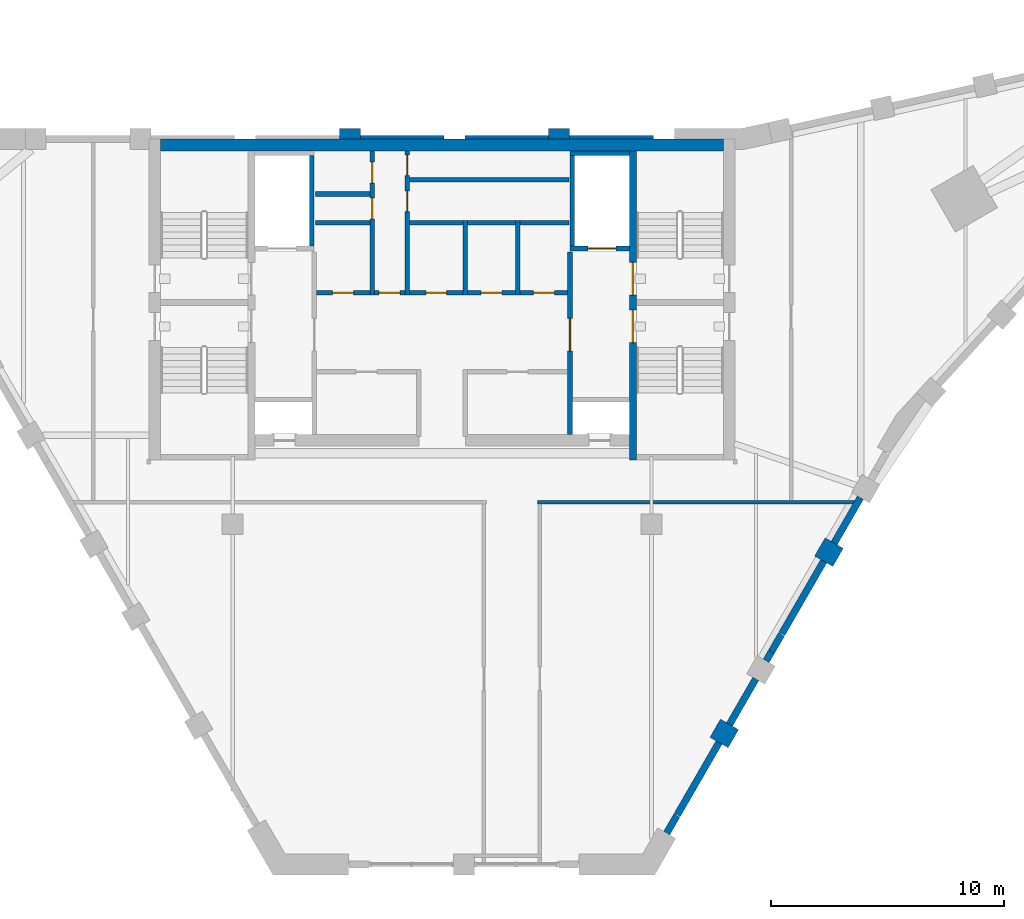
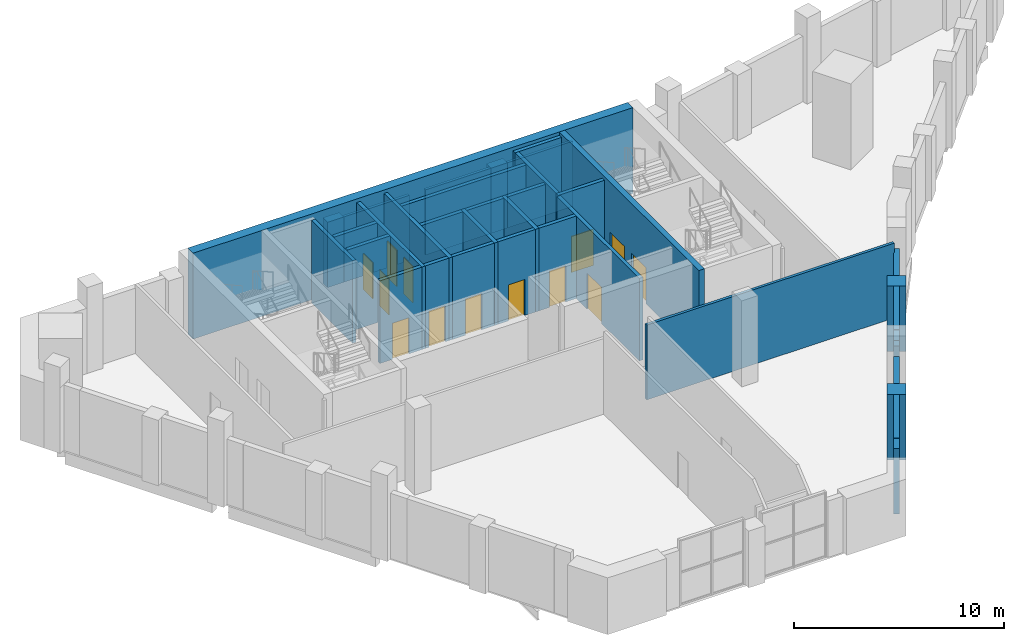
# One storey, part 5 of 9: 37 walls, 13 doors, 13 openings.
"""IFC4 building model written with IfcOpenShell, lengths in metres."""

from ifc_helpers import new_model, si_unit, direction, frame, frame_2d, origin, place, context, subcontext, project, spatial, polyline, rectangle, outline, extrude, material, layer, layer_set, type_object, element, fill, save


model = new_model("IFC4")

# Units and contexts
model_context = context("Model", 3, precision=1e-05, world=origin(), true_north=direction((0.0, 1.0)))
body_context = subcontext(model_context, "Body", "Model", "MODEL_VIEW")
ifc_project = project(units=[si_unit("LENGTHUNIT", "METRE"), si_unit("AREAUNIT", "SQUARE_METRE"), si_unit("VOLUMEUNIT", "CUBIC_METRE"), si_unit("PLANEANGLEUNIT", "RADIAN"), si_unit("MASSUNIT", "GRAM", prefix="KILO")], contexts=[model_context])

# Site, building, storey
site_placement = place(None, origin())
site = spatial("IfcSite", under=ifc_project, at=site_placement, CompositionType="ELEMENT")
building_placement = place(site_placement, origin())
building = spatial("IfcBuilding", under=site, at=building_placement, Name="Calabash Gate Tower", CompositionType="ELEMENT")
storey_placement = place(building_placement, frame((0.0, 0.0, 320.5)))
storey = spatial("IfcBuildingStorey", under=building, at=storey_placement, Name="L75", CompositionType="ELEMENT", Elevation=320.5)

# Walls
ifc_material_1 = material(Name="Terracotta brick masonry, exposed face", Category="masonry")
ifc_layer_1 = layer(ifc_material_1, 0.89990234375)
ifc_layer_set_1 = layer_set([ifc_layer_1], Name="Brick end wall 900")
wall_type_1 = type_object("IfcWallType", Name="Brick end wall 900", PredefinedType="SOLIDWALL", material=ifc_layer_set_1)
for number, where, z_axis, x_axis, name in (
    (1, (11.9072265625, -6.8837890625, 0.0), (0.0, 0.0, 1.0), (0.499902469156, 0.866081705922, 0.0), "Brick pier L75 crown2.1"),
    (2, (16.4072265625, 0.910400390625, 0.0), (0.0, 0.0, 1.0), (0.499902469156, 0.866081705922, 0.0), "Brick pier L75 crown2.3"),
):
    element("IfcWall", number, at=place(storey_placement, frame(where, z_axis=z_axis, x_axis=x_axis)), inside=storey, type_object=wall_type_1, Name=name, PredefinedType="SOLIDWALL", context=body_context, shape_type="SweptSolid", body=[
        extrude(rectangle(XDim=0.900146484375, YDim=0.89990234375, at=frame_2d((0.4501953125, 0.0))), origin(), (0.0, 0.0, 1.0), 3.800048828125),
    ])
wall_1_placement = place(storey_placement, origin())
element("IfcWall", 3, at=wall_1_placement, inside=storey, type_object=wall_type_1, Name="Brick pier L75 crown6.1", PredefinedType="SOLIDWALL", context=body_context, shape_type="SweptSolid", body=[
    extrude(outline(polyline([(4.584228515625, 19.50244140625), (4.584228515625, 19.052490234375), (5.484375, 19.052490234375), (5.484375, 19.50244140625), (4.584228515625, 19.50244140625)])), origin(), (0.0, 0.0, 1.0), 3.800048828125),
])
wall_2_placement = place(storey_placement, origin())
element("IfcWall", 4, at=wall_2_placement, inside=storey, type_object=wall_type_1, Name="Brick pier L75 crown6.3", PredefinedType="SOLIDWALL", context=body_context, shape_type="SweptSolid", body=[
    extrude(outline(polyline([(-4.415771484375, 19.50244140625), (-4.415771484375, 19.052490234375), (-3.515625, 19.052490234375), (-3.515625, 19.50244140625), (-4.415771484375, 19.50244140625)])), origin(), (0.0, 0.0, 1.0), 3.800048828125),
])

# Wall, opening, door
ifc_material_2 = material(Name="Gypsum board on steel studs, mineral wool", Category="steel")
ifc_layer_2 = layer(ifc_material_2, 0.199951171875)
ifc_layer_set_2 = layer_set([ifc_layer_2], Name="Core partition 200 gypsum board")
wall_type_2 = type_object("IfcWallType", Name="Core partition 200 gypsum board", PredefinedType="PARTITIONING", material=ifc_layer_set_2)
wall_3_placement = place(storey_placement, frame((-5.39990234375, 12.45263671875, 0.0), z_axis=(0.0, 0.0, 1.0), x_axis=(1.0, 0.0, 0.0)))
wall_3 = element("IfcWall", 5, at=wall_3_placement, inside=storey, type_object=wall_type_2, Name="Core partition", PredefinedType="PARTITIONING", context=body_context, shape_type="SweptSolid", body=[
    extrude(rectangle(XDim=2.2998046875, YDim=0.199951171875, at=frame_2d((1.14990234375, 0.0))), origin(), (0.0, 0.0, 1.0), 4.800048828125),
])
opening_1_placement = place(wall_3_placement, frame((0.699951171875, 0.0, 0.0)))
opening_1 = element("IfcOpeningElement", 6, at=opening_1_placement, cuts=wall_3, Name="Opening L75-020", PredefinedType="OPENING", context=body_context, shape_type="SweptSolid", body=[
    extrude(rectangle(XDim=0.89990234375, YDim=2.10009765625, at=frame_2d((0.449951171875, 1.050048828125))), frame((0.0, 0.10986328125, 0.0), z_axis=(0.0, -1.0, 0.0), x_axis=(1.0, 0.0, 0.0)), (0.0, 0.0, 1.0), 0.219970703125),
])
ifc_material_3 = material(Name="Steel fire door set with fire-resisting glazing", Category="steel")
door_type_1 = type_object("IfcDoorType", Name="Fire door D06 900x2100 FD60", OperationType="NOTDEFINED", PredefinedType="DOOR", material=ifc_material_3)
door_1_placement = place(opening_1_placement, origin())
door_1 = element("IfcDoor", 7, at=door_1_placement, inside=storey, type_object=door_type_1, Name="Electrical Switch Room door", OperationType="SINGLE_SWING_RIGHT", OverallHeight=2.10009765625, OverallWidth=0.89990234375, PredefinedType="DOOR", context=body_context, shape_type="SweptSolid", body=[
    extrude(rectangle(XDim=0.89990234375, YDim=2.10009765625, at=frame_2d((0.449951171875, 1.050048828125))), frame((0.0, 0.02490234375, 0.0), z_axis=(0.0, -1.0, 0.0), x_axis=(1.0, 0.0, 0.0)), (0.0, 0.0, 1.0), 0.050048828125),
])
fill(opening_1, door_1)

# Wall, openings, doors
wall_4_placement = place(storey_placement, frame((-3.0, 12.3525390625, 0.0), z_axis=(0.0, 0.0, 1.0), x_axis=(0.0, 1.0, 0.0)))
wall_4 = element("IfcWall", 8, at=wall_4_placement, inside=storey, type_object=wall_type_2, Name="Core partition", PredefinedType="PARTITIONING", context=body_context, shape_type="SweptSolid", body=[
    extrude(rectangle(XDim=6.199951171875, YDim=0.199951171875, at=frame_2d((3.10009765625, 0.0))), origin(), (0.0, 0.0, 1.0), 4.800048828125),
])
opening_2_placement = place(wall_4_placement, frame((3.27001953125, 0.0, 0.0)))
opening_2 = element("IfcOpeningElement", 9, at=opening_2_placement, cuts=wall_4, Name="Opening L75-012", PredefinedType="OPENING", context=body_context, shape_type="SweptSolid", body=[
    extrude(rectangle(XDim=0.89990234375, YDim=2.10009765625, at=frame_2d((0.449951171875, 1.050048828125))), frame((0.0, 0.10986328125, 0.0), z_axis=(0.0, -1.0, 0.0), x_axis=(1.0, 0.0, 0.0)), (0.0, 0.0, 1.0), 0.219970703125),
])
opening_3_placement = place(wall_4_placement, frame((4.820068359375, 0.0, 0.0)))
opening_3 = element("IfcOpeningElement", 10, at=opening_3_placement, cuts=wall_4, Name="Opening L75-013", PredefinedType="OPENING", context=body_context, shape_type="SweptSolid", body=[
    extrude(rectangle(XDim=0.89990234375, YDim=2.10009765625, at=frame_2d((0.449951171875, 1.050048828125))), frame((0.0, 0.10986328125, 0.0), z_axis=(0.0, -1.0, 0.0), x_axis=(1.0, 0.0, 0.0)), (0.0, 0.0, 1.0), 0.219970703125),
])
door_2_placement = place(opening_2_placement, origin())
door_2 = element("IfcDoor", 11, at=door_2_placement, inside=storey, type_object=door_type_1, Name="Electrical Switch Room door", OperationType="SINGLE_SWING_LEFT", OverallHeight=2.10009765625, OverallWidth=0.89990234375, PredefinedType="DOOR", context=body_context, shape_type="SweptSolid", body=[
    extrude(rectangle(XDim=0.89990234375, YDim=2.10009765625, at=frame_2d((0.449951171875, 1.050048828125))), frame((0.0, 0.02490234375, 0.0), z_axis=(0.0, -1.0, 0.0), x_axis=(1.0, 0.0, 0.0)), (0.0, 0.0, 1.0), 0.050048828125),
])
fill(opening_2, door_2)
door_3_placement = place(opening_3_placement, origin())
door_3 = element("IfcDoor", 12, at=door_3_placement, inside=storey, type_object=door_type_1, Name="HV Transformer Room door", OperationType="SINGLE_SWING_LEFT", OverallHeight=2.10009765625, OverallWidth=0.89990234375, PredefinedType="DOOR", context=body_context, shape_type="SweptSolid", body=[
    extrude(rectangle(XDim=0.89990234375, YDim=2.10009765625, at=frame_2d((0.449951171875, 1.050048828125))), frame((0.0, 0.02490234375, 0.0), z_axis=(0.0, -1.0, 0.0), x_axis=(1.0, 0.0, 0.0)), (0.0, 0.0, 1.0), 0.050048828125),
])
fill(opening_3, door_3)

# Wall, opening, door
wall_5_placement = place(storey_placement, frame((-2.89990234375, 12.45263671875, 0.0), z_axis=(0.0, 0.0, 1.0), x_axis=(1.0, 0.0, 0.0)))
wall_5 = element("IfcWall", 13, at=wall_5_placement, inside=storey, type_object=wall_type_2, Name="Core partition", PredefinedType="PARTITIONING", context=body_context, shape_type="SweptSolid", body=[
    extrude(rectangle(XDim=1.2998046875, YDim=0.199951171875, at=frame_2d((0.64990234375, 0.0))), origin(), (0.0, 0.0, 1.0), 4.800048828125),
])
opening_4_placement = place(wall_5_placement, frame((0.199951171875, 0.0, 0.0)))
opening_4 = element("IfcOpeningElement", 14, at=opening_4_placement, cuts=wall_5, Name="Opening L75-009", PredefinedType="OPENING", context=body_context, shape_type="SweptSolid", body=[
    extrude(rectangle(XDim=0.89990234375, YDim=2.10009765625, at=frame_2d((0.449951171875, 1.050048828125))), frame((0.0, 0.10986328125, 0.0), z_axis=(0.0, -1.0, 0.0), x_axis=(1.0, 0.0, 0.0)), (0.0, 0.0, 1.0), 0.219970703125),
])
door_4_placement = place(opening_4_placement, origin())
door_4 = element("IfcDoor", 15, at=door_4_placement, inside=storey, type_object=door_type_1, Name="Service Corridor door", OperationType="SINGLE_SWING_RIGHT", OverallHeight=2.10009765625, OverallWidth=0.89990234375, PredefinedType="DOOR", context=body_context, shape_type="SweptSolid", body=[
    extrude(rectangle(XDim=0.89990234375, YDim=2.10009765625, at=frame_2d((0.449951171875, 1.050048828125))), frame((0.0, 0.02490234375, 0.0), z_axis=(0.0, -1.0, 0.0), x_axis=(1.0, 0.0, 0.0)), (0.0, 0.0, 1.0), 0.050048828125),
])
fill(opening_4, door_4)

# Wall, openings, doors
wall_6_placement = place(storey_placement, frame((-1.5, 12.3525390625, 0.0), z_axis=(0.0, 0.0, 1.0), x_axis=(0.0, 1.0, 0.0)))
wall_6 = element("IfcWall", 16, at=wall_6_placement, inside=storey, type_object=wall_type_2, Name="Core partition", PredefinedType="PARTITIONING", context=body_context, shape_type="SweptSolid", body=[
    extrude(rectangle(XDim=6.199951171875, YDim=0.199951171875, at=frame_2d((3.10009765625, 0.0))), origin(), (0.0, 0.0, 1.0), 4.800048828125),
])
opening_5_placement = place(wall_6_placement, frame((3.580078125, 0.0, 0.0)))
opening_5 = element("IfcOpeningElement", 17, at=opening_5_placement, cuts=wall_6, Name="Opening L75-014", PredefinedType="OPENING", context=body_context, shape_type="SweptSolid", body=[
    extrude(rectangle(XDim=0.89990234375, YDim=2.10009765625, at=frame_2d((0.449951171875, 1.050048828125))), frame((0.0, 0.10986328125, 0.0), z_axis=(0.0, -1.0, 0.0), x_axis=(1.0, 0.0, 0.0)), (0.0, 0.0, 1.0), 0.219970703125),
])
opening_6_placement = place(wall_6_placement, frame((5.130126953125, 0.0, 0.0)))
opening_6 = element("IfcOpeningElement", 18, at=opening_6_placement, cuts=wall_6, Name="Opening L75-015", PredefinedType="OPENING", context=body_context, shape_type="SweptSolid", body=[
    extrude(rectangle(XDim=0.89990234375, YDim=2.10009765625, at=frame_2d((0.449951171875, 1.050048828125))), frame((0.0, 0.10986328125, 0.0), z_axis=(0.0, -1.0, 0.0), x_axis=(1.0, 0.0, 0.0)), (0.0, 0.0, 1.0), 0.219970703125),
])
door_5_placement = place(opening_5_placement, origin())
door_5 = element("IfcDoor", 19, at=door_5_placement, inside=storey, type_object=door_type_1, Name="Chilled Water Plant door", OperationType="SINGLE_SWING_LEFT", OverallHeight=2.10009765625, OverallWidth=0.89990234375, PredefinedType="DOOR", context=body_context, shape_type="SweptSolid", body=[
    extrude(rectangle(XDim=0.89990234375, YDim=2.10009765625, at=frame_2d((0.449951171875, 1.050048828125))), frame((0.0, 0.02490234375, 0.0), z_axis=(0.0, -1.0, 0.0), x_axis=(1.0, 0.0, 0.0)), (0.0, 0.0, 1.0), 0.050048828125),
])
fill(opening_5, door_5)
door_6_placement = place(opening_6_placement, origin())
door_6 = element("IfcDoor", 20, at=door_6_placement, inside=storey, type_object=door_type_1, Name="Mechanical Pump Room door", OperationType="SINGLE_SWING_LEFT", OverallHeight=2.10009765625, OverallWidth=0.89990234375, PredefinedType="DOOR", context=body_context, shape_type="SweptSolid", body=[
    extrude(rectangle(XDim=0.89990234375, YDim=2.10009765625, at=frame_2d((0.449951171875, 1.050048828125))), frame((0.0, 0.02490234375, 0.0), z_axis=(0.0, -1.0, 0.0), x_axis=(1.0, 0.0, 0.0)), (0.0, 0.0, 1.0), 0.050048828125),
])
fill(opening_6, door_6)

# Wall, opening, door
wall_7_placement = place(storey_placement, frame((-1.39990234375, 12.45263671875, 0.0), z_axis=(0.0, 0.0, 1.0), x_axis=(1.0, 0.0, 0.0)))
wall_7 = element("IfcWall", 21, at=wall_7_placement, inside=storey, type_object=wall_type_2, Name="Core partition", PredefinedType="PARTITIONING", context=body_context, shape_type="SweptSolid", body=[
    extrude(rectangle(XDim=2.2998046875, YDim=0.199951171875, at=frame_2d((1.14990234375, 0.0))), origin(), (0.0, 0.0, 1.0), 4.800048828125),
])
opening_7_placement = place(wall_7_placement, frame((0.699951171875, 0.0, 0.0)))
opening_7 = element("IfcOpeningElement", 22, at=opening_7_placement, cuts=wall_7, Name="Opening L75-021", PredefinedType="OPENING", context=body_context, shape_type="SweptSolid", body=[
    extrude(rectangle(XDim=0.89990234375, YDim=2.10009765625, at=frame_2d((0.449951171875, 1.050048828125))), frame((0.0, 0.10986328125, 0.0), z_axis=(0.0, -1.0, 0.0), x_axis=(1.0, 0.0, 0.0)), (0.0, 0.0, 1.0), 0.219970703125),
])
door_7_placement = place(opening_7_placement, origin())
door_7 = element("IfcDoor", 23, at=door_7_placement, inside=storey, type_object=door_type_1, Name="HV Transformer Room door", OperationType="SINGLE_SWING_RIGHT", OverallHeight=2.10009765625, OverallWidth=0.89990234375, PredefinedType="DOOR", context=body_context, shape_type="SweptSolid", body=[
    extrude(rectangle(XDim=0.89990234375, YDim=2.10009765625, at=frame_2d((0.449951171875, 1.050048828125))), frame((0.0, 0.02490234375, 0.0), z_axis=(0.0, -1.0, 0.0), x_axis=(1.0, 0.0, 0.0)), (0.0, 0.0, 1.0), 0.050048828125),
])
fill(opening_7, door_7)

# Wall
wall_8_placement = place(storey_placement, frame((1.0, 12.3525390625, 0.0), z_axis=(0.0, 0.0, 1.0), x_axis=(0.0, 1.0, 0.0)))
element("IfcWall", 24, at=wall_8_placement, inside=storey, type_object=wall_type_2, Name="Core partition", PredefinedType="PARTITIONING", context=body_context, shape_type="SweptSolid", body=[
    extrude(rectangle(XDim=3.199951171875, YDim=0.199951171875, at=frame_2d((1.60009765625, 0.0))), origin(), (0.0, 0.0, 1.0), 4.800048828125),
])

# Wall, opening, door
wall_9_placement = place(storey_placement, frame((1.10009765625, 12.45263671875, 0.0), z_axis=(0.0, 0.0, 1.0), x_axis=(1.0, 0.0, 0.0)))
wall_9 = element("IfcWall", 25, at=wall_9_placement, inside=storey, type_object=wall_type_2, Name="Core partition", PredefinedType="PARTITIONING", context=body_context, shape_type="SweptSolid", body=[
    extrude(rectangle(XDim=2.0498046875, YDim=0.199951171875, at=frame_2d((1.02490234375, 0.0))), origin(), (0.0, 0.0, 1.0), 4.800048828125),
])
opening_8_placement = place(wall_9_placement, frame((0.574951171875, 0.0, 0.0)))
opening_8 = element("IfcOpeningElement", 26, at=opening_8_placement, cuts=wall_9, Name="Opening L75-018", PredefinedType="OPENING", context=body_context, shape_type="SweptSolid", body=[
    extrude(rectangle(XDim=0.89990234375, YDim=2.10009765625, at=frame_2d((0.449951171875, 1.050048828125))), frame((0.0, 0.10986328125, 0.0), z_axis=(0.0, -1.0, 0.0), x_axis=(1.0, 0.0, 0.0)), (0.0, 0.0, 1.0), 0.219970703125),
])
door_8_placement = place(opening_8_placement, origin())
door_8 = element("IfcDoor", 27, at=door_8_placement, inside=storey, type_object=door_type_1, Name="Plant Workshop door", OperationType="SINGLE_SWING_RIGHT", OverallHeight=2.10009765625, OverallWidth=0.89990234375, PredefinedType="DOOR", context=body_context, shape_type="SweptSolid", body=[
    extrude(rectangle(XDim=0.89990234375, YDim=2.10009765625, at=frame_2d((0.449951171875, 1.050048828125))), frame((0.0, 0.02490234375, 0.0), z_axis=(0.0, -1.0, 0.0), x_axis=(1.0, 0.0, 0.0)), (0.0, 0.0, 1.0), 0.050048828125),
])
fill(opening_8, door_8)

# Wall
wall_10_placement = place(storey_placement, frame((3.25, 12.3525390625, 0.0), z_axis=(0.0, 0.0, 1.0), x_axis=(0.0, 1.0, 0.0)))
element("IfcWall", 28, at=wall_10_placement, inside=storey, type_object=wall_type_2, Name="Core partition", PredefinedType="PARTITIONING", context=body_context, shape_type="SweptSolid", body=[
    extrude(rectangle(XDim=3.199951171875, YDim=0.199951171875, at=frame_2d((1.60009765625, 0.0))), origin(), (0.0, 0.0, 1.0), 4.800048828125),
])

# Wall, opening, door
wall_11_placement = place(storey_placement, frame((3.35009765625, 12.45263671875, 0.0), z_axis=(0.0, 0.0, 1.0), x_axis=(1.0, 0.0, 0.0)))
wall_11 = element("IfcWall", 29, at=wall_11_placement, inside=storey, type_object=wall_type_2, Name="Core partition", PredefinedType="PARTITIONING", context=body_context, shape_type="SweptSolid", body=[
    extrude(rectangle(XDim=2.0498046875, YDim=0.199951171875, at=frame_2d((1.02490234375, 0.0))), origin(), (0.0, 0.0, 1.0), 4.800048828125),
])
opening_9_placement = place(wall_11_placement, frame((0.574951171875, 0.0, 0.0)))
opening_9 = element("IfcOpeningElement", 30, at=opening_9_placement, cuts=wall_11, Name="Opening L75-019", PredefinedType="OPENING", context=body_context, shape_type="SweptSolid", body=[
    extrude(rectangle(XDim=0.89990234375, YDim=2.10009765625, at=frame_2d((0.449951171875, 1.050048828125))), frame((0.0, 0.10986328125, 0.0), z_axis=(0.0, -1.0, 0.0), x_axis=(1.0, 0.0, 0.0)), (0.0, 0.0, 1.0), 0.219970703125),
])
door_9_placement = place(opening_9_placement, origin())
door_9 = element("IfcDoor", 31, at=door_9_placement, inside=storey, type_object=door_type_1, Name="Maintenance Store door", OperationType="SINGLE_SWING_LEFT", OverallHeight=2.10009765625, OverallWidth=0.89990234375, PredefinedType="DOOR", context=body_context, shape_type="SweptSolid", body=[
    extrude(rectangle(XDim=0.89990234375, YDim=2.10009765625, at=frame_2d((0.449951171875, 1.050048828125))), frame((0.0, 0.02490234375, 0.0), z_axis=(0.0, -1.0, 0.0), x_axis=(1.0, 0.0, 0.0)), (0.0, 0.0, 1.0), 0.050048828125),
])
fill(opening_9, door_9)

# Walls
wall_12_placement = place(storey_placement, frame((-1.39990234375, 15.45263671875, 0.0), z_axis=(0.0, 0.0, 1.0), x_axis=(1.0, 0.0, 0.0)))
element("IfcWall", 32, at=wall_12_placement, inside=storey, type_object=wall_type_2, Name="Core partition", PredefinedType="PARTITIONING", context=body_context, shape_type="SweptSolid", body=[
    extrude(rectangle(XDim=2.2998046875, YDim=0.199951171875, at=frame_2d((1.14990234375, 0.0))), origin(), (0.0, 0.0, 1.0), 4.800048828125),
])
wall_13_placement = place(storey_placement, frame((1.10009765625, 15.45263671875, 0.0), z_axis=(0.0, 0.0, 1.0), x_axis=(1.0, 0.0, 0.0)))
element("IfcWall", 33, at=wall_13_placement, inside=storey, type_object=wall_type_2, Name="Core partition", PredefinedType="PARTITIONING", context=body_context, shape_type="SweptSolid", body=[
    extrude(rectangle(XDim=2.0498046875, YDim=0.199951171875, at=frame_2d((1.02490234375, 0.0))), origin(), (0.0, 0.0, 1.0), 4.800048828125),
])

# Wall, openings, doors
ifc_material_4 = material(Name="Concrete C60/75", Category="concrete")
ifc_layer_3 = layer(ifc_material_4, 0.300048828125)
ifc_layer_set_3 = layer_set([ifc_layer_3], Name="Core wall 300 Concrete C60/75")
wall_type_3 = type_object("IfcWallType", Name="Core wall 300 Concrete C60/75", PredefinedType="SHEAR", material=ifc_layer_set_3)
wall_14_placement = place(storey_placement, frame((8.199951171875, 5.252685546875, 0.0), z_axis=(0.0, 0.0, 1.0), x_axis=(0.0, 1.0, 0.0)))
wall_14 = element("IfcWall", 34, at=wall_14_placement, inside=storey, type_object=wall_type_3, Name="Core wall C-PARTE L75", PredefinedType="SHEAR", context=body_context, shape_type="SweptSolid", body=[
    extrude(rectangle(XDim=13.2998046875, YDim=0.300048828125, at=frame_2d((6.64990234375, 0.0))), origin(), (0.0, 0.0, 1.0), 5.0),
])
opening_10_placement = place(wall_14_placement, frame((7.10009765625, 0.0, 0.0)))
opening_10 = element("IfcOpeningElement", 35, at=opening_10_placement, cuts=wall_14, Name="Opening L75-003", PredefinedType="OPENING", context=body_context, shape_type="SweptSolid", body=[
    extrude(rectangle(XDim=1.39990234375, YDim=2.10009765625, at=frame_2d((0.699951171875, 1.050048828125))), frame((0.0, 0.159912109375, 0.0), z_axis=(0.0, -1.0, 0.0), x_axis=(1.0, 0.0, 0.0)), (0.0, 0.0, 1.0), 0.320068359375),
])
opening_11_placement = place(wall_14_placement, frame((5.050048828125, 0.0, 0.0)))
opening_11 = element("IfcOpeningElement", 36, at=opening_11_placement, cuts=wall_14, Name="Opening L75-004", PredefinedType="OPENING", context=body_context, shape_type="SweptSolid", body=[
    extrude(rectangle(XDim=1.39990234375, YDim=2.10009765625, at=frame_2d((0.699951171875, 1.050048828125))), frame((0.0, 0.159912109375, 0.0), z_axis=(0.0, -1.0, 0.0), x_axis=(1.0, 0.0, 0.0)), (0.0, 0.0, 1.0), 0.320068359375),
])
ifc_material_5 = material(Name="Steel fire door set with fire-resisting glazing", Category="steel")
door_type_2 = type_object("IfcDoorType", Name="Fire door D05 1400x2100 FD90", OperationType="NOTDEFINED", PredefinedType="DOOR", material=ifc_material_5)
door_10_placement = place(opening_10_placement, origin())
door_10 = element("IfcDoor", 37, at=door_10_placement, inside=storey, type_object=door_type_2, Name="Exit stair door ST3", OperationType="SINGLE_SWING_RIGHT", OverallHeight=2.10009765625, OverallWidth=1.39990234375, PredefinedType="DOOR", context=body_context, shape_type="SweptSolid", body=[
    extrude(rectangle(XDim=1.39990234375, YDim=2.10009765625, at=frame_2d((0.699951171875, 1.050048828125))), frame((0.0, 0.02490234375, 0.0), z_axis=(0.0, -1.0, 0.0), x_axis=(1.0, 0.0, 0.0)), (0.0, 0.0, 1.0), 0.050048828125),
])
fill(opening_10, door_10)
door_11_placement = place(opening_11_placement, origin())
door_11 = element("IfcDoor", 38, at=door_11_placement, inside=storey, type_object=door_type_2, Name="Exit stair door ST4", OperationType="SINGLE_SWING_LEFT", OverallHeight=2.10009765625, OverallWidth=1.39990234375, PredefinedType="DOOR", context=body_context, shape_type="SweptSolid", body=[
    extrude(rectangle(XDim=1.39990234375, YDim=2.10009765625, at=frame_2d((0.699951171875, 1.050048828125))), frame((0.0, 0.02490234375, 0.0), z_axis=(0.0, -1.0, 0.0), x_axis=(1.0, 0.0, 0.0)), (0.0, 0.0, 1.0), 0.050048828125),
])
fill(opening_11, door_11)

# Walls
ifc_material_6 = material(Name="Concrete C60/75", Category="concrete")
ifc_layer_4 = layer(ifc_material_6, 0.5)
ifc_layer_set_4 = layer_set([ifc_layer_4], Name="Core wall 500 Concrete C60/75")
wall_type_4 = type_object("IfcWallType", Name="Core wall 500 Concrete C60/75", PredefinedType="SHEAR", material=ifc_layer_set_4)
wall_15_placement = place(storey_placement, frame((-12.10009765625, 18.802490234375, 0.0), z_axis=(0.0, 0.0, 1.0), x_axis=(1.0, 0.0, 0.0)))
element("IfcWall", 39, at=wall_15_placement, inside=storey, type_object=wall_type_4, Name="Core wall C-N L75", PredefinedType="SHEAR", context=body_context, shape_type="SweptSolid", body=[
    extrude(rectangle(XDim=24.2001953125, YDim=0.5, at=frame_2d((12.10009765625, 0.0))), origin(), (0.0, 0.0, 1.0), 5.0),
])
ifc_material_7 = material(Name="Gypsum board on steel studs, mineral wool", Category="steel")
ifc_layer_5 = layer(ifc_material_7, 0.14990234375)
ifc_layer_set_5 = layer_set([ifc_layer_5], Name="Partition 150 gypsum board")
wall_type_5 = type_object("IfcWallType", Name="Partition 150 gypsum board", PredefinedType="PARTITIONING", material=ifc_layer_set_5)
wall_16_placement = place(storey_placement, frame((4.094970703125, 3.45263671875, 0.0), z_axis=(0.0, 0.0, 1.0), x_axis=(1.0, 0.0, 0.0)))
element("IfcWall", 40, at=wall_16_placement, inside=storey, type_object=wall_type_5, Name="Partition", PredefinedType="PARTITIONING", context=body_context, shape_type="SweptSolid", body=[
    extrude(rectangle(XDim=13.626708984375, YDim=0.14990234375, at=frame_2d((6.8134765625, 0.0))), origin(), (0.0, 0.0, 1.0), 4.352294921875),
])

# Wall, opening, door
ifc_material_8 = material(Name="Concrete C40/50", Category="concrete")
ifc_layer_6 = layer(ifc_material_8, 0.199951171875)
ifc_layer_set_6 = layer_set([ifc_layer_6], Name="Shaft wall 200 Concrete C40/50")
wall_type_6 = type_object("IfcWallType", Name="Shaft wall 200 Concrete C40/50", PredefinedType="SOLIDWALL", material=ifc_layer_set_6)
wall_17_placement = place(storey_placement, frame((5.5, 6.3525390625, 0.0), z_axis=(0.0, 0.0, 1.0), x_axis=(0.0, 1.0, 0.0)))
wall_17 = element("IfcWall", 41, at=wall_17_placement, inside=storey, type_object=wall_type_6, Name="Shaft wall", PredefinedType="SOLIDWALL", context=body_context, shape_type="SweptSolid", body=[
    extrude(rectangle(XDim=7.85009765625, YDim=0.199951171875, at=frame_2d((3.925048828125, 0.0))), origin(), (0.0, 0.0, 1.0), 4.800048828125),
])
opening_12_placement = place(wall_17_placement, frame((3.60009765625, 0.0, 0.0)))
opening_12 = element("IfcOpeningElement", 42, at=opening_12_placement, cuts=wall_17, Name="Opening L75-011", PredefinedType="OPENING", context=body_context, shape_type="SweptSolid", body=[
    extrude(rectangle(XDim=1.39990234375, YDim=2.10009765625, at=frame_2d((0.699951171875, 1.050048828125))), frame((0.0, 0.10986328125, 0.0), z_axis=(0.0, -1.0, 0.0), x_axis=(1.0, 0.0, 0.0)), (0.0, 0.0, 1.0), 0.219970703125),
])
door_12_placement = place(opening_12_placement, origin())
door_12 = element("IfcDoor", 43, at=door_12_placement, inside=storey, type_object=door_type_2, Name="Firefighting Lobby E door", OperationType="SINGLE_SWING_LEFT", OverallHeight=2.10009765625, OverallWidth=1.39990234375, PredefinedType="DOOR", context=body_context, shape_type="SweptSolid", body=[
    extrude(rectangle(XDim=1.39990234375, YDim=2.10009765625, at=frame_2d((0.699951171875, 1.050048828125))), frame((0.0, 0.02490234375, 0.0), z_axis=(0.0, -1.0, 0.0), x_axis=(1.0, 0.0, 0.0)), (0.0, 0.0, 1.0), 0.050048828125),
])
fill(opening_12, door_12)

wall_18_placement = place(storey_placement, frame((5.5, 14.3525390625, 0.0), z_axis=(0.0, 0.0, 1.0), x_axis=(1.0, 0.0, 0.0)))
wall_18 = element("IfcWall", 44, at=wall_18_placement, inside=storey, type_object=wall_type_6, Name="Shaft wall", PredefinedType="SOLIDWALL", context=body_context, shape_type="SweptSolid", body=[
    extrude(rectangle(XDim=2.550048828125, YDim=0.199951171875, at=frame_2d((1.27490234375, 0.0))), origin(), (0.0, 0.0, 1.0), 4.800048828125),
])
opening_13_placement = place(wall_18_placement, frame((0.77490234375, 0.0, 0.0)))
opening_13 = element("IfcOpeningElement", 45, at=opening_13_placement, cuts=wall_18, Name="Opening LD-FF2", PredefinedType="OPENING", context=body_context, shape_type="SweptSolid", body=[
    extrude(rectangle(XDim=1.199951171875, YDim=2.10009765625, at=frame_2d((0.60009765625, 1.050048828125))), frame((0.0, 0.10986328125, 0.0), z_axis=(0.0, -1.0, 0.0), x_axis=(1.0, 0.0, 0.0)), (0.0, 0.0, 1.0), 0.219970703125),
])
ifc_material_9 = material(Name="Stainless steel sliding door leaves", Category="steel")
door_type_3 = type_object("IfcDoorType", Name="Lift landing door LS3 1200x2100 FD90", OperationType="DOUBLE_DOOR_SLIDING", PredefinedType="DOOR", material=ifc_material_9)
door_13_placement = place(opening_13_placement, origin())
door_13 = element("IfcDoor", 46, at=door_13_placement, inside=storey, type_object=door_type_3, Name="Lift landing door FF2", OperationType="DOUBLE_DOOR_SLIDING", OverallHeight=2.10009765625, OverallWidth=1.199951171875, PredefinedType="DOOR", context=body_context, shape_type="SweptSolid", body=[
    extrude(rectangle(XDim=1.199951171875, YDim=2.10009765625, at=frame_2d((0.60009765625, 1.050048828125))), frame((0.0, 0.02490234375, 0.0), z_axis=(0.0, -1.0, 0.0), x_axis=(1.0, 0.0, 0.0)), (0.0, 0.0, 1.0), 0.050048828125),
])
fill(opening_13, door_13)

# Walls
for number, where, z_axis, x_axis, name in (
    (47, (-5.60009765625, 14.45263671875, 0.0), (0.0, 0.0, 1.0), (0.0, 1.0, 0.0), "Shaft wall"),
    (48, (5.60009765625, 14.45263671875, 0.0), (0.0, 0.0, 1.0), (0.0, 1.0, 0.0), "Shaft wall"),
):
    element("IfcWall", number, at=place(storey_placement, frame(where, z_axis=z_axis, x_axis=x_axis)), inside=storey, type_object=wall_type_6, Name=name, PredefinedType="SOLIDWALL", context=body_context, shape_type="SweptSolid", body=[
        extrude(rectangle(XDim=3.89990234375, YDim=0.199951171875, at=frame_2d((1.949951171875, 0.0))), origin(), (0.0, 0.0, 1.0), 4.800048828125),
    ])
wall_19_placement = place(storey_placement, frame((-5.449951171875, 15.45263671875, 0.0), z_axis=(0.0, 0.0, 1.0), x_axis=(1.0, 0.0, 0.0)))
element("IfcWall", 49, at=wall_19_placement, inside=storey, type_object=wall_type_6, Name="Shaft wall", PredefinedType="SOLIDWALL", context=body_context, shape_type="SweptSolid", body=[
    extrude(rectangle(XDim=2.349853515625, YDim=0.199951171875, at=frame_2d((1.1748046875, 0.0))), origin(), (0.0, 0.0, 1.0), 4.800048828125),
])
wall_20_placement = place(storey_placement, frame((3.35009765625, 15.45263671875, 0.0), z_axis=(0.0, 0.0, 1.0), x_axis=(1.0, 0.0, 0.0)))
element("IfcWall", 50, at=wall_20_placement, inside=storey, type_object=wall_type_6, Name="Shaft wall", PredefinedType="SOLIDWALL", context=body_context, shape_type="SweptSolid", body=[
    extrude(rectangle(XDim=2.099853515625, YDim=0.199951171875, at=frame_2d((1.0498046875, 0.0))), origin(), (0.0, 0.0, 1.0), 4.800048828125),
])
wall_21_placement = place(storey_placement, frame((-5.449951171875, 16.692626953125, 0.0), z_axis=(0.0, 0.0, 1.0), x_axis=(1.0, 0.0, 0.0)))
element("IfcWall", 51, at=wall_21_placement, inside=storey, type_object=wall_type_6, Name="Shaft wall", PredefinedType="SOLIDWALL", context=body_context, shape_type="SweptSolid", body=[
    extrude(rectangle(XDim=2.349853515625, YDim=0.199951171875, at=frame_2d((1.1748046875, 0.0))), origin(), (0.0, 0.0, 1.0), 4.800048828125),
])
wall_22_placement = place(storey_placement, frame((-1.39990234375, 17.3125, 0.0), z_axis=(0.0, 0.0, 1.0), x_axis=(1.0, 0.0, 0.0)))
element("IfcWall", 52, at=wall_22_placement, inside=storey, type_object=wall_type_6, Name="Shaft wall", PredefinedType="SOLIDWALL", context=body_context, shape_type="SweptSolid", body=[
    extrude(rectangle(XDim=6.849853515625, YDim=0.199951171875, at=frame_2d((3.4248046875, 0.0))), origin(), (0.0, 0.0, 1.0), 4.800048828125),
])
wall_23_placement = place(storey_placement, frame((5.5, 18.45263671875, 0.0), z_axis=(0.0, 0.0, 1.0), x_axis=(1.0, 0.0, 0.0)))
element("IfcWall", 53, at=wall_23_placement, inside=storey, type_object=wall_type_6, Name="Shaft wall", PredefinedType="SOLIDWALL", context=body_context, shape_type="SweptSolid", body=[
    extrude(rectangle(XDim=2.550048828125, YDim=0.199951171875, at=frame_2d((1.27490234375, 0.0))), origin(), (0.0, 0.0, 1.0), 4.800048828125),
])
ifc_material_10 = material(Name="Terracotta louvre blades in an aluminium frame", Category="masonry")
ifc_layer_7 = layer(ifc_material_10, 0.300048828125)
ifc_layer_set_7 = layer_set([ifc_layer_7], Name="Terracotta louvre wall 300")
wall_type_7 = type_object("IfcWallType", Name="Terracotta louvre wall 300", PredefinedType="ELEMENTEDWALL", material=ifc_layer_set_7)
wall_24_placement = place(storey_placement, frame((10.107177734375, -10.00146484375, 0.0), z_axis=(0.0, 0.0, 1.0), x_axis=(0.500012057535, 0.866018442252, 0.0)))
element("IfcWall", 54, at=wall_24_placement, inside=storey, type_object=wall_type_7, Name="LOUVRE L75 crown2.1", PredefinedType="ELEMENTEDWALL", context=body_context, shape_type="SweptSolid", body=[
    extrude(rectangle(XDim=3.60009765625, YDim=0.300048828125, at=frame_2d((1.800048828125, 0.0))), origin(), (0.0, 0.0, 1.0), 3.800048828125),
])
wall_25_placement = place(storey_placement, origin())
element("IfcWall", 55, at=wall_25_placement, inside=storey, type_object=wall_type_7, Name="LOUVRE L75 crown2.2a", PredefinedType="ELEMENTEDWALL", context=body_context, shape_type="SweptSolid", body=[
    extrude(outline(polyline([(12.487060546875, -6.17919921875), (13.613525390625, -4.22802734375), (13.353759765625, -4.078125), (12.227294921875, -6.029296875), (12.487060546875, -6.17919921875)])), origin(), (0.0, 0.0, 1.0), 3.800048828125),
])
wall_26_placement = place(storey_placement, origin())
element("IfcWall", 56, at=wall_26_placement, inside=storey, type_object=wall_type_7, Name="LOUVRE L75 crown2.2b", PredefinedType="ELEMENTEDWALL", context=body_context, shape_type="SweptSolid", body=[
    extrude(outline(polyline([(14.02734375, -2.91162109375), (13.8037109375, -3.298583984375), (14.0634765625, -3.44873046875), (14.287109375, -3.0615234375), (14.02734375, -2.91162109375)])), origin(), (0.0, 0.0, 1.0), 3.800048828125),
])
wall_27_placement = place(storey_placement, frame((14.607177734375, -2.207275390625, 0.0), z_axis=(0.0, 0.0, 1.0), x_axis=(0.500012057535, 0.866018442252, 0.0)))
element("IfcWall", 57, at=wall_27_placement, inside=storey, type_object=wall_type_7, Name="LOUVRE L75 crown2.3", PredefinedType="ELEMENTEDWALL", context=body_context, shape_type="SweptSolid", body=[
    extrude(rectangle(XDim=3.60009765625, YDim=0.300048828125, at=frame_2d((1.800048828125, 0.0))), origin(), (0.0, 0.0, 1.0), 3.800048828125),
])
wall_28_placement = place(storey_placement, origin())
element("IfcWall", 58, at=wall_28_placement, inside=storey, type_object=wall_type_7, Name="LOUVRE L75 crown2.4a", PredefinedType="ELEMENTEDWALL", context=body_context, shape_type="SweptSolid", body=[
    extrude(outline(polyline([(16.987060546875, 1.614990234375), (18.113037109375, 3.565185546875), (17.853271484375, 3.715087890625), (16.727294921875, 1.764892578125), (16.987060546875, 1.614990234375)])), origin(), (0.0, 0.0, 1.0), 3.800048828125),
])
wall_29_placement = place(storey_placement, origin())
element("IfcWall", 59, at=wall_29_placement, inside=storey, type_object=wall_type_7, Name="LOUVRE L75 crown6.1", PredefinedType="ELEMENTEDWALL", context=body_context, shape_type="SweptSolid", body=[
    extrude(outline(polyline([(9.084228515625, 19.20263671875), (5.484375, 19.20263671875), (5.484375, 19.052490234375), (9.084228515625, 19.052490234375), (9.084228515625, 19.20263671875)])), origin(), (0.0, 0.0, 1.0), 3.800048828125),
])
wall_30_placement = place(storey_placement, origin())
element("IfcWall", 60, at=wall_30_placement, inside=storey, type_object=wall_type_7, Name="LOUVRE L75 crown6.2", PredefinedType="ELEMENTEDWALL", context=body_context, shape_type="SweptSolid", body=[
    extrude(outline(polyline([(4.584228515625, 19.20263671875), (0.984375, 19.20263671875), (0.984375, 19.052490234375), (4.584228515625, 19.052490234375), (4.584228515625, 19.20263671875)])), origin(), (0.0, 0.0, 1.0), 3.800048828125),
])
wall_31_placement = place(storey_placement, origin())
element("IfcWall", 61, at=wall_31_placement, inside=storey, type_object=wall_type_7, Name="LOUVRE L75 crown6.3", PredefinedType="ELEMENTEDWALL", context=body_context, shape_type="SweptSolid", body=[
    extrude(outline(polyline([(0.084228515625, 19.20263671875), (-3.515625, 19.20263671875), (-3.515625, 19.052490234375), (0.084228515625, 19.052490234375), (0.084228515625, 19.20263671875)])), origin(), (0.0, 0.0, 1.0), 3.800048828125),
])
for number, where, z_axis, x_axis, name in (
    (62, (9.6591796875, -10.77734375, 0.0), (0.0, 0.0, 1.0), (0.499893013529, 0.866087163642, 0.0), "LOUVRE L75 edge crown2.c7"),
    (63, (14.1591796875, -2.983154296875, 0.0), (0.0, 0.0, 1.0), (0.499893013529, 0.866087163642, 0.0), "LOUVRE L75 edge crown2.c8"),
):
    element("IfcWall", number, at=place(storey_placement, frame(where, z_axis=z_axis, x_axis=x_axis)), inside=storey, type_object=wall_type_7, Name=name, PredefinedType="ELEMENTEDWALL", context=body_context, shape_type="SweptSolid", body=[
        extrude(rectangle(XDim=0.867431640625, YDim=0.300048828125, at=frame_2d((0.43359375, 0.0))), origin(), (0.0, 0.0, 1.0), 3.800048828125),
    ])

save(model, "model.ifc")
